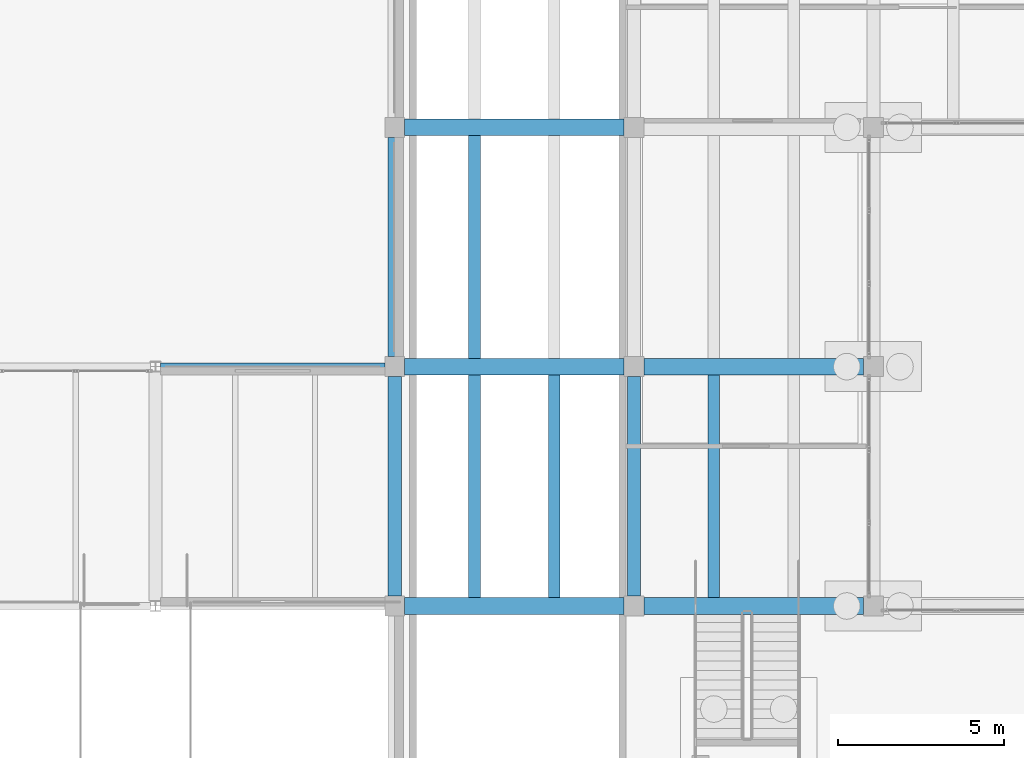
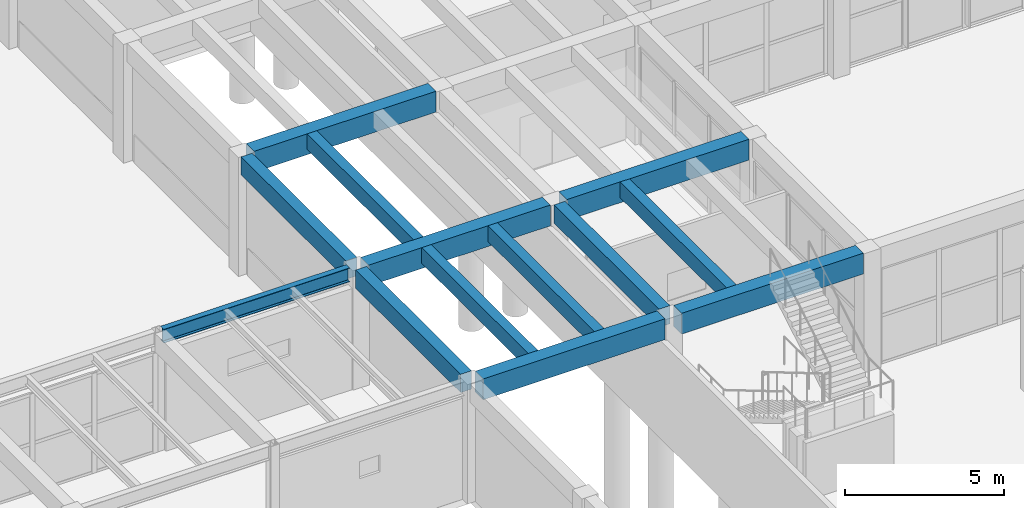
# One storey, part 31 of 155: 13 beams.
"""IFC4 building model written with IfcOpenShell, lengths in metres."""

from ifc_helpers import new_model, si_unit, direction, frame, origin, origin_2d, place, context, subcontext, project, spatial, rectangle, i_section, extrude, material, material_profile, profile_set, type_object, element, save


model = new_model("IFC4")

# Units and contexts
model_context = context("Model", 3, precision=1e-05, world=origin(), true_north=direction((0.0, 1.0)))
body_context = subcontext(model_context, "Body", "Model", "MODEL_VIEW")
ifc_project = project(units=[si_unit("LENGTHUNIT", "METRE"), si_unit("AREAUNIT", "SQUARE_METRE"), si_unit("VOLUMEUNIT", "CUBIC_METRE"), si_unit("PLANEANGLEUNIT", "RADIAN"), si_unit("MASSUNIT", "GRAM", prefix="KILO")], contexts=[model_context])

# Site, building, storey
site_placement = place(None, origin())
site = spatial("IfcSite", under=ifc_project, at=site_placement, CompositionType="ELEMENT")
building_placement = place(site_placement, origin())
building = spatial("IfcBuilding", under=site, at=building_placement, Name="Bramvelor Terrace Health Centre", CompositionType="ELEMENT")
storey_placement = place(building_placement, origin())
storey = spatial("IfcBuildingStorey", under=building, at=storey_placement, Name="L01", CompositionType="ELEMENT", Elevation=0.0)

# Beams
ifc_material_1 = material(Name="Concrete C40/50", Category="concrete")
ifc_material_profile_1 = material_profile(ifc_material_1, rectangle(XDim=0.39990234375, YDim=0.699951171875, at=origin_2d()), Name="RC 400x700")
ifc_profile_set_1 = profile_set([ifc_material_profile_1], Name="Concrete C40/50")
beam_type_1 = type_object("IfcBeamType", Name="BM-RC-G700", PredefinedType="BEAM", material=ifc_profile_set_1)
for number, where, z_axis, x_axis, name in (
    (1, (43.199951171875, 50.699951171875, 4.22998046875), (0.0, 1.0, 0.0), (-1.0, 0.0, 0.0), "L01 Floor Girder"),
    (2, (43.199951171875, 57.89990234375, 4.2099609375), (0.0, 1.0, 0.0), (-1.0, 0.0, 0.0), "L01 Floor Girder"),
    (3, (50.39990234375, 50.699951171875, 4.2099609375), (0.0, 1.0, 0.0), (-1.0, 0.0, 0.0), "L01 Floor Girder"),
):
    element("IfcBeam", number, at=place(storey_placement, frame(where, z_axis=z_axis, x_axis=x_axis)), inside=storey, type_object=beam_type_1, Name=name, PredefinedType="BEAM", context=body_context, shape_type="SweptSolid", body=[
        extrude(rectangle(XDim=0.39990234375, YDim=0.699951171875, at=origin_2d()), origin(), (0.0, 0.0, 1.0), 6.60009765625),
    ])
ifc_material_2 = material(Name="Concrete C40/50", Category="concrete")
ifc_material_profile_2 = material_profile(ifc_material_2, rectangle(XDim=0.5, YDim=0.800048828125, at=origin_2d()), Name="RC 500x800")
ifc_profile_set_2 = profile_set([ifc_material_profile_2], Name="Concrete C40/50")
beam_type_2 = type_object("IfcBeamType", Name="BM-RC-G800", PredefinedType="BEAM", material=ifc_profile_set_2)
for number, where, z_axis, x_axis, name in (
    (4, (43.5, 50.39990234375, 4.159912109375), (1.0, 0.0, 0.0), (0.0, 1.0, 0.0), "L01 Floor Girder"),
    (5, (43.5, 57.60009765625, 4.159912109375), (1.0, 0.0, 0.0), (0.0, 1.0, 0.0), "L01 Floor Girder"),
    (6, (43.5, 64.800048828125, 4.159912109375), (1.0, 0.0, 0.0), (0.0, 1.0, 0.0), "L01 Floor Girder"),
    (7, (50.699951171875, 50.39990234375, 4.159912109375), (1.0, 0.0, 0.0), (0.0, 1.0, 0.0), "L01 Floor Girder"),
    (8, (50.699951171875, 57.60009765625, 4.159912109375), (1.0, 0.0, 0.0), (0.0, 1.0, 0.0), "L01 Floor Girder"),
):
    element("IfcBeam", number, at=place(storey_placement, frame(where, z_axis=z_axis, x_axis=x_axis)), inside=storey, type_object=beam_type_2, Name=name, PredefinedType="BEAM", context=body_context, shape_type="SweptSolid", body=[
        extrude(rectangle(XDim=0.5, YDim=0.800048828125, at=origin_2d()), origin(), (0.0, 0.0, 1.0), 6.60009765625),
    ])
ifc_material_3 = material(Name="Concrete C40/50", Category="concrete")
ifc_material_profile_3 = material_profile(ifc_material_3, rectangle(XDim=0.35009765625, YDim=0.60009765625, at=origin_2d()), Name="RC 350x600")
ifc_profile_set_3 = profile_set([ifc_material_profile_3], Name="Concrete C40/50")
beam_type_3 = type_object("IfcBeamType", Name="BM-RC-J600", PredefinedType="JOIST", material=ifc_profile_set_3)
for number, where, z_axis, x_axis, name in (
    (9, (45.60009765625, 50.64990234375, 4.260009765625), (0.0, 1.0, 0.0), (-1.0, 0.0, 0.0), "L01 Secondary Floor Joist"),
    (10, (48.0, 50.64990234375, 4.260009765625), (0.0, 1.0, 0.0), (-1.0, 0.0, 0.0), "L01 Secondary Floor Joist"),
):
    element("IfcBeam", number, at=place(storey_placement, frame(where, z_axis=z_axis, x_axis=x_axis)), inside=storey, type_object=beam_type_3, Name=name, PredefinedType="JOIST", context=body_context, shape_type="SweptSolid", body=[
        extrude(rectangle(XDim=0.35009765625, YDim=0.60009765625, at=origin_2d()), origin(), (0.0, 0.0, 1.0), 6.7001953125),
    ])
beam_1_placement = place(storey_placement, frame((45.60009765625, 57.85009765625, 4.260009765625), z_axis=(0.0, 1.0, 0.0), x_axis=(-1.0, 0.0, 0.0)))
element("IfcBeam", 11, at=beam_1_placement, inside=storey, type_object=beam_type_3, Name="L01 Secondary Floor Joist", PredefinedType="JOIST", context=body_context, shape_type="SweptSolid", body=[
    extrude(rectangle(XDim=0.35009765625, YDim=0.60009765625, at=origin_2d()), origin(), (0.0, 0.0, 1.0), 6.699951171875),
])
beam_2_placement = place(storey_placement, frame((52.800048828125, 50.64990234375, 4.260009765625), z_axis=(0.0, 1.0, 0.0), x_axis=(-1.0, 0.0, 0.0)))
element("IfcBeam", 12, at=beam_2_placement, inside=storey, type_object=beam_type_3, Name="L01 Secondary Floor Joist", PredefinedType="JOIST", context=body_context, shape_type="SweptSolid", body=[
    extrude(rectangle(XDim=0.35009765625, YDim=0.60009765625, at=origin_2d()), origin(), (0.0, 0.0, 1.0), 6.7001953125),
])
ifc_material_4 = material(Name="Steel S355J2", Category="steel")
ifc_material_profile_4 = material_profile(ifc_material_4, i_section(OverallWidth=0.209228515625, OverallDepth=0.533203125, WebThickness=0.010009765625, FlangeThickness=0.015625, FilletRadius=0.0126953125, at=origin_2d()), Name="UB 533x210x92")
ifc_profile_set_4 = profile_set([ifc_material_profile_4], Name="Steel S355J2")
beam_type_4 = type_object("IfcBeamType", Name="BM-STL-UB533", PredefinedType="BEAM", material=ifc_profile_set_4)
beam_3_placement = place(storey_placement, frame((36.15380859375, 57.60009765625, 4.3134765625), z_axis=(1.0, 0.0, 0.0), x_axis=(0.0, 1.0, 0.0)))
element("IfcBeam", 13, at=beam_3_placement, inside=storey, type_object=beam_type_4, Name="L01 Floor Girder", PredefinedType="BEAM", context=body_context, shape_type="SweptSolid", body=[
    extrude(i_section(OverallWidth=0.209228515625, OverallDepth=0.533203125, WebThickness=0.010009765625, FlangeThickness=0.015625, FilletRadius=0.0126953125, at=origin_2d()), origin(), (0.0, 0.0, 1.0), 6.74609375),
])

save(model, "model.ifc")
